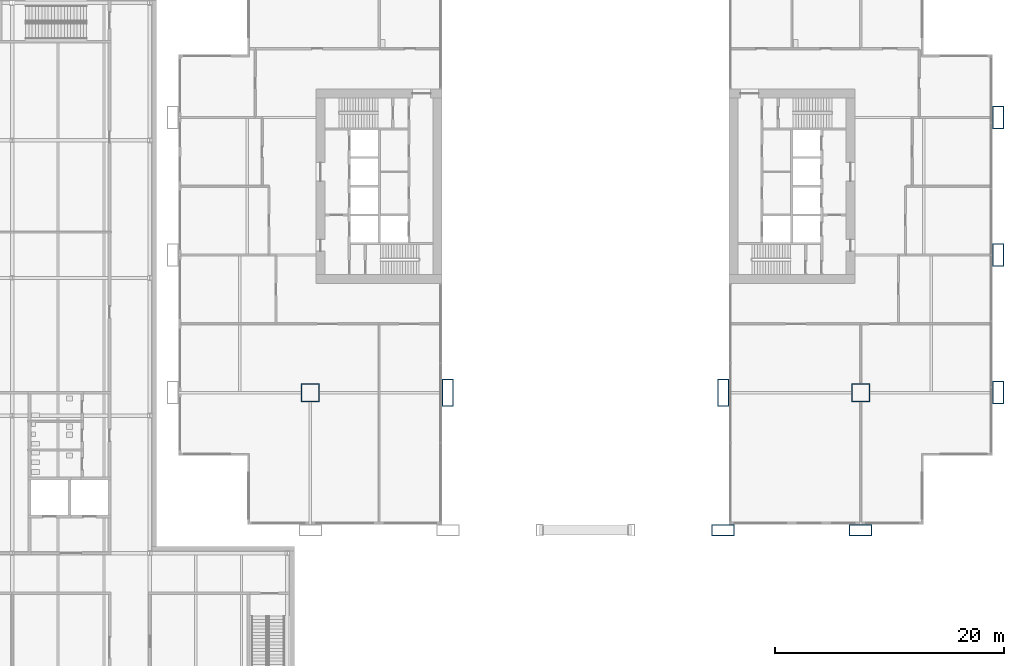
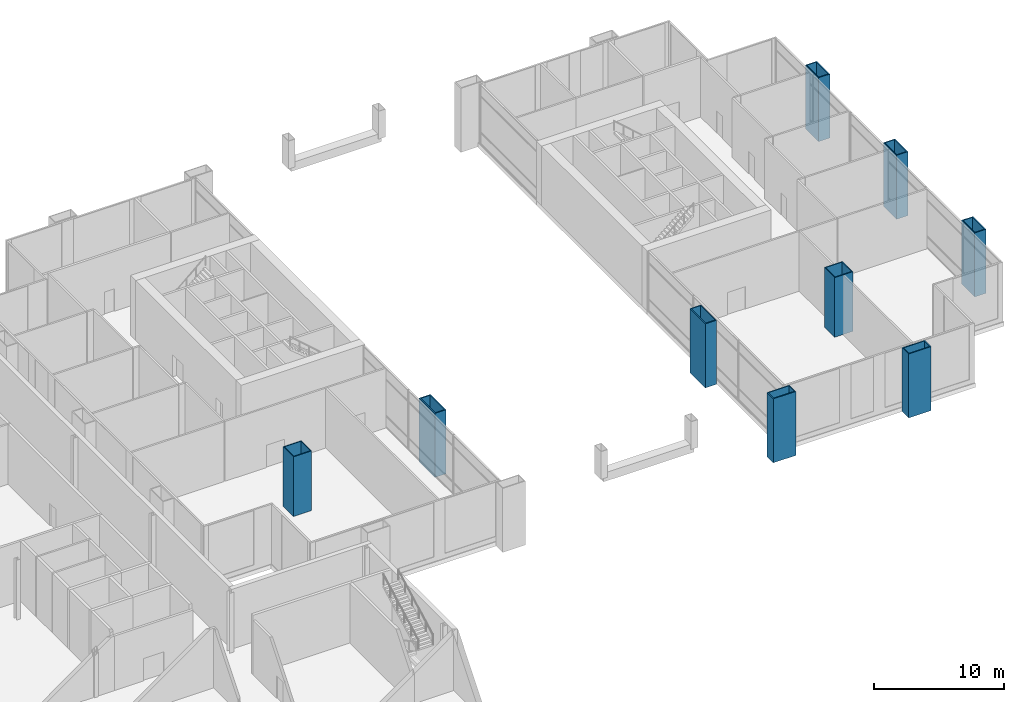
# One storey, part 4 of 25: 9 columns.
"""IFC4 building model written with IfcOpenShell, lengths in metres."""

from ifc_helpers import new_model, si_unit, direction, frame, origin, origin_2d, place, context, subcontext, project, spatial, hollow_rectangle, extrude, material, material_profile, profile_set, type_object, element, save


model = new_model("IFC4")

# Units and contexts
model_context = context("Model", 3, precision=1e-05, world=origin(), true_north=direction((0.0, 1.0)))
body_context = subcontext(model_context, "Body", "Model", "MODEL_VIEW")
ifc_project = project(units=[si_unit("LENGTHUNIT", "METRE"), si_unit("AREAUNIT", "SQUARE_METRE"), si_unit("VOLUMEUNIT", "CUBIC_METRE"), si_unit("PLANEANGLEUNIT", "RADIAN"), si_unit("MASSUNIT", "GRAM", prefix="KILO")], contexts=[model_context])

# Site, building, storey
site_placement = place(None, origin())
site = spatial("IfcSite", under=ifc_project, at=site_placement, CompositionType="ELEMENT")
building_placement = place(site_placement, origin())
building = spatial("IfcBuilding", under=site, at=building_placement, Name="Kitamizu Gate Tower and Museum", CompositionType="ELEMENT")
storey_placement = place(building_placement, frame((0.0, 0.0, 18.0)))
storey = spatial("IfcBuildingStorey", under=building, at=storey_placement, Name="L03", CompositionType="ELEMENT", Elevation=18.0)

# Columns
ifc_material_1 = material(Name="Steel SM490A bronze coated", Category="steel")
ifc_material_profile_1 = material_profile(ifc_material_1, hollow_rectangle(XDim=2.39990234375, YDim=1.0, WallThickness=0.090087890625, at=origin_2d()), Name="BOX 2400x1000x90")
ifc_profile_set_1 = profile_set([ifc_material_profile_1], Name="Steel SM490A bronze coated")
column_type_1 = type_object("IfcColumnType", Name="Arch jamb column JC1 BOX 2400x1000x90", PredefinedType="COLUMN", material=ifc_profile_set_1)
for number, where, z_axis, x_axis, name in (
    (1, (24.0, 12.0, -0.39990234375), (0.0, 0.0, 1.0), (0.0, 1.0, 0.0), "Column JC1 3B L03"),
    (2, (48.0, 12.0, -0.39990234375), (0.0, 0.0, 1.0), (0.0, 1.0, 0.0), "Column JC1 5B L03"),
):
    element("IfcColumn", number, at=place(storey_placement, frame(where, z_axis=z_axis, x_axis=x_axis)), inside=storey, type_object=column_type_1, Name=name, PredefinedType="COLUMN", context=body_context, shape_type="SweptSolid", body=[
        extrude(hollow_rectangle(XDim=2.39990234375, YDim=1.0, WallThickness=0.090087890625, at=origin_2d()), origin(), (0.0, 0.0, 1.0), 6.0),
    ])
ifc_material_2 = material(Name="Steel SM490A", Category="steel")
ifc_material_profile_2 = material_profile(ifc_material_2, hollow_rectangle(XDim=1.60009765625, YDim=1.60009765625, WallThickness=0.070068359375, at=origin_2d()), Name="BOX 1600x1600x70")
ifc_profile_set_2 = profile_set([ifc_material_profile_2], Name="Steel SM490A")
column_type_2 = type_object("IfcColumnType", Name="Interior column IC1 BOX 1600x1600x70", PredefinedType="COLUMN", material=ifc_profile_set_2)
for number, where, z_axis, x_axis, name in (
    (3, (12.0, 12.0, 0.0), (0.0, 0.0, 1.0), (1.0, 0.0, 0.0), "Column IC1 2B L03"),
    (4, (60.0, 12.0, 0.0), (0.0, 0.0, 1.0), (1.0, 0.0, 0.0), "Column IC1 6B L03"),
):
    element("IfcColumn", number, at=place(storey_placement, frame(where, z_axis=z_axis, x_axis=x_axis)), inside=storey, type_object=column_type_2, Name=name, PredefinedType="COLUMN", context=body_context, shape_type="SweptSolid", body=[
        extrude(hollow_rectangle(XDim=1.60009765625, YDim=1.60009765625, WallThickness=0.070068359375, at=origin_2d()), origin(), (0.0, 0.0, 1.0), 5.60009765625),
    ])
ifc_material_3 = material(Name="Steel SM490A bronze coated", Category="steel")
ifc_material_profile_3 = material_profile(ifc_material_3, hollow_rectangle(XDim=2.0, YDim=1.0, WallThickness=0.080078125, at=origin_2d()), Name="BOX 2000x1000x80")
ifc_profile_set_3 = profile_set([ifc_material_profile_3], Name="Steel SM490A bronze coated")
column_type_3 = type_object("IfcColumnType", Name="Podium leg column LC1 BOX 2000x1000x80", PredefinedType="COLUMN", material=ifc_profile_set_3)
for number, where, z_axis, x_axis, name in (
    (5, (48.0, 0.0, -0.39990234375), (0.0, 0.0, 1.0), (1.0, 0.0, 0.0), "Column LC1 5A L03"),
    (6, (60.0, 0.0, -0.39990234375), (0.0, 0.0, 1.0), (1.0, 0.0, 0.0), "Column LC1 6A L03"),
    (7, (72.0, 12.0, -0.39990234375), (0.0, 0.0, 1.0), (0.0, 1.0, 0.0), "Column LC1 7B L03"),
    (8, (72.0, 24.0, -0.39990234375), (0.0, 0.0, 1.0), (0.0, 1.0, 0.0), "Column LC1 7C L03"),
    (9, (72.0, 36.0, -0.39990234375), (0.0, 0.0, 1.0), (0.0, 1.0, 0.0), "Column LC1 7D L03"),
):
    element("IfcColumn", number, at=place(storey_placement, frame(where, z_axis=z_axis, x_axis=x_axis)), inside=storey, type_object=column_type_3, Name=name, PredefinedType="COLUMN", context=body_context, shape_type="SweptSolid", body=[
        extrude(hollow_rectangle(XDim=2.0, YDim=1.0, WallThickness=0.080078125, at=origin_2d()), origin(), (0.0, 0.0, 1.0), 6.0),
    ])

save(model, "model.ifc")
